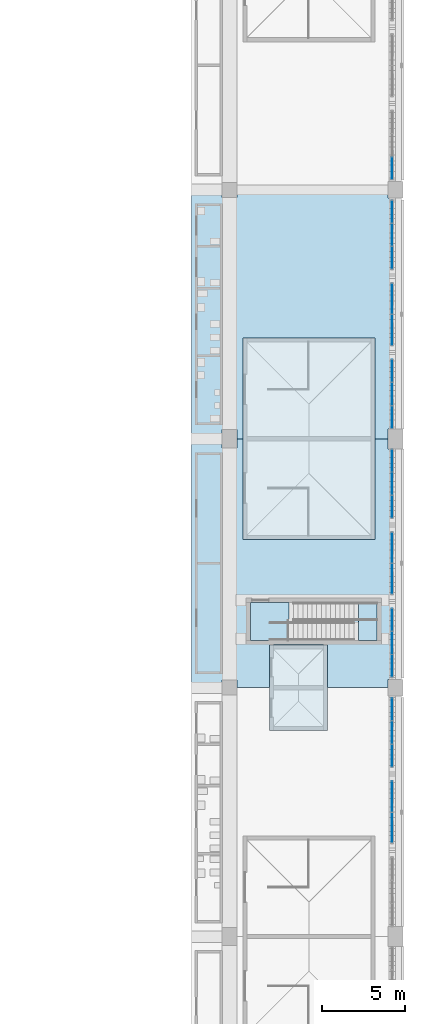
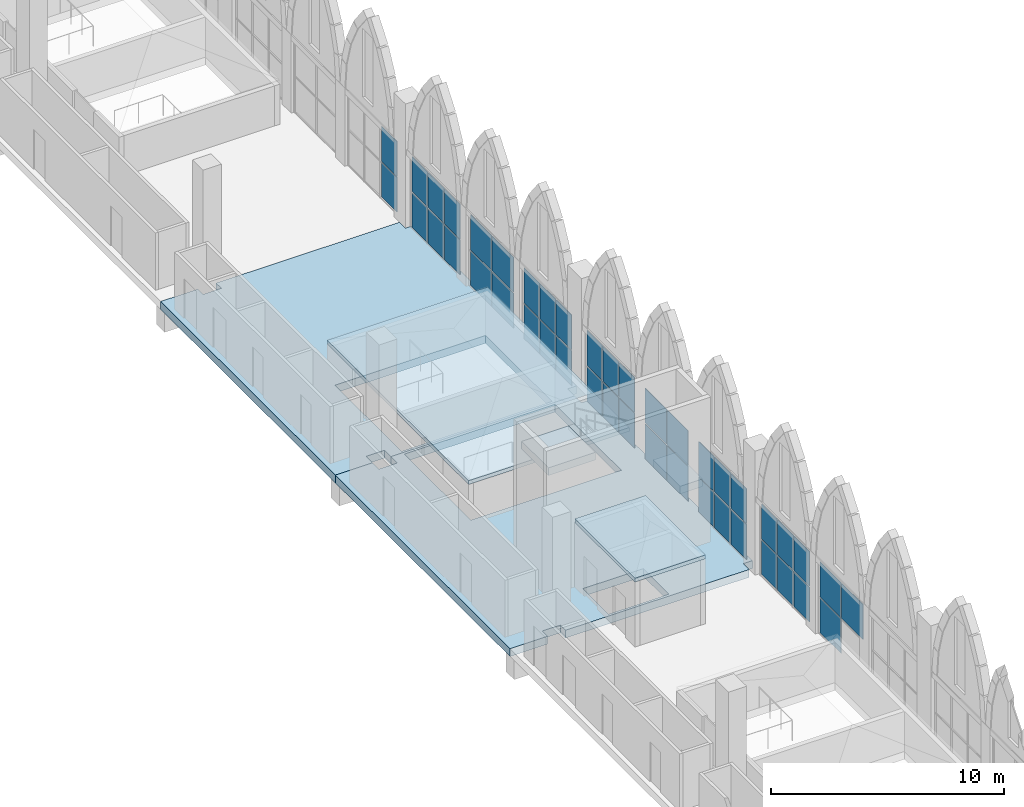
# One storey, part 56 of 130: 43 plates, 6 slabs, 10 elements without a shape of their own.
"""IFC4 building model written with IfcOpenShell, lengths in metres."""

from ifc_helpers import new_model, si_unit, direction, frame, origin, origin_2d, place, context, subcontext, project, spatial, polyline, rectangle, outline, extrude, material, layer, layer_set, type_object, element, aggregate, save


model = new_model("IFC4")

# Units and contexts
model_context = context("Model", 3, precision=1e-05, world=origin(), true_north=direction((0.0, 1.0)))
body_context = subcontext(model_context, "Body", "Model", "MODEL_VIEW")
ifc_project = project(units=[si_unit("LENGTHUNIT", "METRE"), si_unit("AREAUNIT", "SQUARE_METRE"), si_unit("VOLUMEUNIT", "CUBIC_METRE"), si_unit("PLANEANGLEUNIT", "RADIAN"), si_unit("MASSUNIT", "GRAM", prefix="KILO")], contexts=[model_context])

# Site, building, storey
site_placement = place(None, origin())
site = spatial("IfcSite", under=ifc_project, at=site_placement, CompositionType="ELEMENT")
building_placement = place(site_placement, origin())
building = spatial("IfcBuilding", under=site, at=building_placement, Name="Ogive Plaza Stadium", CompositionType="ELEMENT")
storey_placement = place(building_placement, frame((0.0, 0.0, 22.5)))
storey = spatial("IfcBuildingStorey", under=building, at=storey_placement, Name="L05", CompositionType="ELEMENT", Elevation=22.5)

# Slab
ifc_material_1 = material(Name="Concrete C40/50", Category="concrete")
ifc_layer_1 = layer(ifc_material_1, 0.199951171875)
ifc_layer_set_1 = layer_set([ifc_layer_1], Name="Concrete C40/50")
slab_type_1 = type_object("IfcSlabType", Name="Core roof slab", PredefinedType="ROOF", material=ifc_layer_set_1)
slab_1_placement = place(storey_placement, frame((0.0, 0.0, 2.10009765625)))
element("IfcSlab", 1, at=slab_1_placement, inside=storey, type_object=slab_type_1, Name="Stair core R04 roof", PredefinedType="ROOF", context=body_context, shape_type="SweptSolid", body=[
    extrude(outline(polyline([(74.800048828125, 1.425048828125), (82.760009765625, 1.425048828125), (82.760009765625, 13.574951171875), (74.800048828125, 13.574951171875), (74.800048828125, 1.425048828125)])), origin(), (0.0, 0.0, 1.0), 0.199951171875),
])

# Curtain wall, plates
ifc_material_2 = material(Name="Bronze-anodised aluminium with laminated glass", Category="aluminium")
curtain_wall_type = type_object("IfcCurtainWallType", Name="Lancet curtain wall", PredefinedType="NOTDEFINED", material=ifc_material_2)
curtain_wall_1_placement = place(storey_placement, origin())
curtain_wall_1 = element("IfcCurtainWall", 2, at=curtain_wall_1_placement, inside=storey, type_object=curtain_wall_type, Name="CURTAIN WALL B02 L05", PredefinedType="NOTDEFINED")
ifc_material_3 = material(Name="Laminated glass", Category="glass")
ifc_layer_2 = layer(ifc_material_3, 0.028076171875)
ifc_layer_set_2 = layer_set([ifc_layer_2], Name="Laminated glass panel 28")
plate_type = type_object("IfcPlateType", Name="Laminated glass panel 28", PredefinedType="CURTAIN_PANEL", material=ifc_layer_set_2)
plate_1_placement = place(storey_placement, frame((83.800048828125, 23.8125, 0.0498046875), z_axis=(0.0, 0.0, 1.0), x_axis=(0.0, -1.0, 0.0)))
plate_1 = element("IfcPlate", 3, at=plate_1_placement, type_object=plate_type, Name="CW-B02-L05.3 panel 3.1", PredefinedType="CURTAIN_PANEL", context=body_context, shape_type="SweptSolid", body=[
    extrude(rectangle(XDim=1.324951171875, YDim=0.028076171875, at=origin_2d()), origin(), (0.0, 0.0, 1.0), 1.824951171875),
])
plate_2_placement = place(storey_placement, frame((83.800048828125, 23.8125, 1.9248046875), z_axis=(0.0, 0.0, 1.0), x_axis=(0.0, -1.0, 0.0)))
plate_2 = element("IfcPlate", 4, at=plate_2_placement, type_object=plate_type, Name="CW-B02-L05.3 panel 3.2", PredefinedType="CURTAIN_PANEL", context=body_context, shape_type="SweptSolid", body=[
    extrude(rectangle(XDim=1.324951171875, YDim=0.028076171875, at=origin_2d()), origin(), (0.0, 0.0, 1.0), 1.824951171875),
])
aggregate(curtain_wall_1, [plate_1, plate_2])

curtain_wall_2_placement = place(storey_placement, origin())
curtain_wall_2 = element("IfcCurtainWall", 5, at=curtain_wall_2_placement, inside=storey, type_object=curtain_wall_type, Name="CURTAIN WALL B03 L05", PredefinedType="NOTDEFINED")
plate_3_placement = place(storey_placement, frame((83.800048828125, 21.1875, 0.0498046875), z_axis=(0.0, 0.0, 1.0), x_axis=(0.0, -1.0, 0.0)))
plate_3 = element("IfcPlate", 6, at=plate_3_placement, type_object=plate_type, Name="CW-B03-L05.1 panel 1.1", PredefinedType="CURTAIN_PANEL", context=body_context, shape_type="SweptSolid", body=[
    extrude(rectangle(XDim=1.324951171875, YDim=0.028076171875, at=origin_2d()), origin(), (0.0, 0.0, 1.0), 1.824951171875),
])
plate_4_placement = place(storey_placement, frame((83.800048828125, 21.1875, 1.9248046875), z_axis=(0.0, 0.0, 1.0), x_axis=(0.0, -1.0, 0.0)))
plate_4 = element("IfcPlate", 7, at=plate_4_placement, type_object=plate_type, Name="CW-B03-L05.1 panel 1.2", PredefinedType="CURTAIN_PANEL", context=body_context, shape_type="SweptSolid", body=[
    extrude(rectangle(XDim=1.324951171875, YDim=0.028076171875, at=origin_2d()), origin(), (0.0, 0.0, 1.0), 1.824951171875),
])
plate_5_placement = place(storey_placement, frame((83.800048828125, 19.800048828125, 0.0498046875), z_axis=(0.0, 0.0, 1.0), x_axis=(0.0, -1.0, 0.0)))
plate_5 = element("IfcPlate", 8, at=plate_5_placement, type_object=plate_type, Name="CW-B03-L05.1 panel 2.1", PredefinedType="CURTAIN_PANEL", context=body_context, shape_type="SweptSolid", body=[
    extrude(rectangle(XDim=1.35009765625, YDim=0.028076171875, at=origin_2d()), origin(), (0.0, 0.0, 1.0), 1.824951171875),
])
plate_6_placement = place(storey_placement, frame((83.800048828125, 19.800048828125, 1.9248046875), z_axis=(0.0, 0.0, 1.0), x_axis=(0.0, -1.0, 0.0)))
plate_6 = element("IfcPlate", 9, at=plate_6_placement, type_object=plate_type, Name="CW-B03-L05.1 panel 2.2", PredefinedType="CURTAIN_PANEL", context=body_context, shape_type="SweptSolid", body=[
    extrude(rectangle(XDim=1.35009765625, YDim=0.028076171875, at=origin_2d()), origin(), (0.0, 0.0, 1.0), 1.824951171875),
])
plate_7_placement = place(storey_placement, frame((83.800048828125, 18.41259765625, 0.0498046875), z_axis=(0.0, 0.0, 1.0), x_axis=(0.0, -1.0, 0.0)))
plate_7 = element("IfcPlate", 10, at=plate_7_placement, type_object=plate_type, Name="CW-B03-L05.1 panel 3.1", PredefinedType="CURTAIN_PANEL", context=body_context, shape_type="SweptSolid", body=[
    extrude(rectangle(XDim=1.324951171875, YDim=0.028076171875, at=origin_2d()), origin(), (0.0, 0.0, 1.0), 1.824951171875),
])
plate_8_placement = place(storey_placement, frame((83.800048828125, 18.41259765625, 1.9248046875), z_axis=(0.0, 0.0, 1.0), x_axis=(0.0, -1.0, 0.0)))
plate_8 = element("IfcPlate", 11, at=plate_8_placement, type_object=plate_type, Name="CW-B03-L05.1 panel 3.2", PredefinedType="CURTAIN_PANEL", context=body_context, shape_type="SweptSolid", body=[
    extrude(rectangle(XDim=1.324951171875, YDim=0.028076171875, at=origin_2d()), origin(), (0.0, 0.0, 1.0), 1.824951171875),
])
aggregate(curtain_wall_2, [plate_3, plate_4, plate_5, plate_6, plate_7, plate_8])

curtain_wall_3_placement = place(storey_placement, origin())
curtain_wall_3 = element("IfcCurtainWall", 12, at=curtain_wall_3_placement, inside=storey, type_object=curtain_wall_type, Name="CURTAIN WALL B03 L05", PredefinedType="NOTDEFINED")
plate_9_placement = place(storey_placement, frame((83.800048828125, 15.9375, 0.0498046875), z_axis=(0.0, 0.0, 1.0), x_axis=(0.0, -1.0, 0.0)))
plate_9 = element("IfcPlate", 13, at=plate_9_placement, type_object=plate_type, Name="CW-B03-L05.2 panel 1.1", PredefinedType="CURTAIN_PANEL", context=body_context, shape_type="SweptSolid", body=[
    extrude(rectangle(XDim=1.824951171875, YDim=0.028076171875, at=origin_2d()), origin(), (0.0, 0.0, 1.0), 1.824951171875),
])
plate_10_placement = place(storey_placement, frame((83.800048828125, 15.9375, 1.9248046875), z_axis=(0.0, 0.0, 1.0), x_axis=(0.0, -1.0, 0.0)))
plate_10 = element("IfcPlate", 14, at=plate_10_placement, type_object=plate_type, Name="CW-B03-L05.2 panel 1.2", PredefinedType="CURTAIN_PANEL", context=body_context, shape_type="SweptSolid", body=[
    extrude(rectangle(XDim=1.824951171875, YDim=0.028076171875, at=origin_2d()), origin(), (0.0, 0.0, 1.0), 1.824951171875),
])
plate_11_placement = place(storey_placement, frame((83.800048828125, 14.0625, 0.0498046875), z_axis=(0.0, 0.0, 1.0), x_axis=(0.0, -1.0, 0.0)))
plate_11 = element("IfcPlate", 15, at=plate_11_placement, type_object=plate_type, Name="CW-B03-L05.2 panel 2.1", PredefinedType="CURTAIN_PANEL", context=body_context, shape_type="SweptSolid", body=[
    extrude(rectangle(XDim=1.824951171875, YDim=0.028076171875, at=origin_2d()), origin(), (0.0, 0.0, 1.0), 1.824951171875),
])
plate_12_placement = place(storey_placement, frame((83.800048828125, 14.0625, 1.9248046875), z_axis=(0.0, 0.0, 1.0), x_axis=(0.0, -1.0, 0.0)))
plate_12 = element("IfcPlate", 16, at=plate_12_placement, type_object=plate_type, Name="CW-B03-L05.2 panel 2.2", PredefinedType="CURTAIN_PANEL", context=body_context, shape_type="SweptSolid", body=[
    extrude(rectangle(XDim=1.824951171875, YDim=0.028076171875, at=origin_2d()), origin(), (0.0, 0.0, 1.0), 1.824951171875),
])
aggregate(curtain_wall_3, [plate_9, plate_10, plate_11, plate_12])

curtain_wall_4_placement = place(storey_placement, origin())
curtain_wall_4 = element("IfcCurtainWall", 17, at=curtain_wall_4_placement, inside=storey, type_object=curtain_wall_type, Name="CURTAIN WALL B03 L05", PredefinedType="NOTDEFINED")
plate_13_placement = place(storey_placement, frame((83.800048828125, 11.58740234375, 0.0498046875), z_axis=(0.0, 0.0, 1.0), x_axis=(0.0, -1.0, 0.0)))
plate_13 = element("IfcPlate", 18, at=plate_13_placement, type_object=plate_type, Name="CW-B03-L05.3 panel 1.1", PredefinedType="CURTAIN_PANEL", context=body_context, shape_type="SweptSolid", body=[
    extrude(rectangle(XDim=1.324951171875, YDim=0.028076171875, at=origin_2d()), origin(), (0.0, 0.0, 1.0), 1.824951171875),
])
plate_14_placement = place(storey_placement, frame((83.800048828125, 11.58740234375, 1.9248046875), z_axis=(0.0, 0.0, 1.0), x_axis=(0.0, -1.0, 0.0)))
plate_14 = element("IfcPlate", 19, at=plate_14_placement, type_object=plate_type, Name="CW-B03-L05.3 panel 1.2", PredefinedType="CURTAIN_PANEL", context=body_context, shape_type="SweptSolid", body=[
    extrude(rectangle(XDim=1.324951171875, YDim=0.028076171875, at=origin_2d()), origin(), (0.0, 0.0, 1.0), 1.824951171875),
])
plate_15_placement = place(storey_placement, frame((83.800048828125, 10.199951171875, 0.0498046875), z_axis=(0.0, 0.0, 1.0), x_axis=(0.0, -1.0, 0.0)))
plate_15 = element("IfcPlate", 20, at=plate_15_placement, type_object=plate_type, Name="CW-B03-L05.3 panel 2.1", PredefinedType="CURTAIN_PANEL", context=body_context, shape_type="SweptSolid", body=[
    extrude(rectangle(XDim=1.35009765625, YDim=0.028076171875, at=origin_2d()), origin(), (0.0, 0.0, 1.0), 1.824951171875),
])
plate_16_placement = place(storey_placement, frame((83.800048828125, 10.199951171875, 1.9248046875), z_axis=(0.0, 0.0, 1.0), x_axis=(0.0, -1.0, 0.0)))
plate_16 = element("IfcPlate", 21, at=plate_16_placement, type_object=plate_type, Name="CW-B03-L05.3 panel 2.2", PredefinedType="CURTAIN_PANEL", context=body_context, shape_type="SweptSolid", body=[
    extrude(rectangle(XDim=1.35009765625, YDim=0.028076171875, at=origin_2d()), origin(), (0.0, 0.0, 1.0), 1.824951171875),
])
plate_17_placement = place(storey_placement, frame((83.800048828125, 8.8125, 0.0498046875), z_axis=(0.0, 0.0, 1.0), x_axis=(0.0, -1.0, 0.0)))
plate_17 = element("IfcPlate", 22, at=plate_17_placement, type_object=plate_type, Name="CW-B03-L05.3 panel 3.1", PredefinedType="CURTAIN_PANEL", context=body_context, shape_type="SweptSolid", body=[
    extrude(rectangle(XDim=1.324951171875, YDim=0.028076171875, at=origin_2d()), origin(), (0.0, 0.0, 1.0), 1.824951171875),
])
plate_18_placement = place(storey_placement, frame((83.800048828125, 8.8125, 1.9248046875), z_axis=(0.0, 0.0, 1.0), x_axis=(0.0, -1.0, 0.0)))
plate_18 = element("IfcPlate", 23, at=plate_18_placement, type_object=plate_type, Name="CW-B03-L05.3 panel 3.2", PredefinedType="CURTAIN_PANEL", context=body_context, shape_type="SweptSolid", body=[
    extrude(rectangle(XDim=1.324951171875, YDim=0.028076171875, at=origin_2d()), origin(), (0.0, 0.0, 1.0), 1.824951171875),
])
aggregate(curtain_wall_4, [plate_13, plate_14, plate_15, plate_16, plate_17, plate_18])

curtain_wall_5_placement = place(storey_placement, origin())
curtain_wall_5 = element("IfcCurtainWall", 24, at=curtain_wall_5_placement, inside=storey, type_object=curtain_wall_type, Name="CURTAIN WALL B04 L05", PredefinedType="NOTDEFINED")
plate_19_placement = place(storey_placement, frame((83.800048828125, 6.1875, 0.0498046875), z_axis=(0.0, 0.0, 1.0), x_axis=(0.0, -1.0, 0.0)))
plate_19 = element("IfcPlate", 25, at=plate_19_placement, type_object=plate_type, Name="CW-B04-L05.1 panel 1.1", PredefinedType="CURTAIN_PANEL", context=body_context, shape_type="SweptSolid", body=[
    extrude(rectangle(XDim=1.324951171875, YDim=0.028076171875, at=origin_2d()), origin(), (0.0, 0.0, 1.0), 1.824951171875),
])
plate_20_placement = place(storey_placement, frame((83.800048828125, 6.1875, 1.9248046875), z_axis=(0.0, 0.0, 1.0), x_axis=(0.0, -1.0, 0.0)))
plate_20 = element("IfcPlate", 26, at=plate_20_placement, type_object=plate_type, Name="CW-B04-L05.1 panel 1.2", PredefinedType="CURTAIN_PANEL", context=body_context, shape_type="SweptSolid", body=[
    extrude(rectangle(XDim=1.324951171875, YDim=0.028076171875, at=origin_2d()), origin(), (0.0, 0.0, 1.0), 1.824951171875),
])
plate_21_placement = place(storey_placement, frame((83.800048828125, 4.800048828125, 0.0498046875), z_axis=(0.0, 0.0, 1.0), x_axis=(0.0, -1.0, 0.0)))
plate_21 = element("IfcPlate", 27, at=plate_21_placement, type_object=plate_type, Name="CW-B04-L05.1 panel 2.1", PredefinedType="CURTAIN_PANEL", context=body_context, shape_type="SweptSolid", body=[
    extrude(rectangle(XDim=1.35009765625, YDim=0.028076171875, at=origin_2d()), origin(), (0.0, 0.0, 1.0), 1.824951171875),
])
plate_22_placement = place(storey_placement, frame((83.800048828125, 4.800048828125, 1.9248046875), z_axis=(0.0, 0.0, 1.0), x_axis=(0.0, -1.0, 0.0)))
plate_22 = element("IfcPlate", 28, at=plate_22_placement, type_object=plate_type, Name="CW-B04-L05.1 panel 2.2", PredefinedType="CURTAIN_PANEL", context=body_context, shape_type="SweptSolid", body=[
    extrude(rectangle(XDim=1.35009765625, YDim=0.028076171875, at=origin_2d()), origin(), (0.0, 0.0, 1.0), 1.824951171875),
])
plate_23_placement = place(storey_placement, frame((83.800048828125, 3.41259765625, 0.0498046875), z_axis=(0.0, 0.0, 1.0), x_axis=(0.0, -1.0, 0.0)))
plate_23 = element("IfcPlate", 29, at=plate_23_placement, type_object=plate_type, Name="CW-B04-L05.1 panel 3.1", PredefinedType="CURTAIN_PANEL", context=body_context, shape_type="SweptSolid", body=[
    extrude(rectangle(XDim=1.324951171875, YDim=0.028076171875, at=origin_2d()), origin(), (0.0, 0.0, 1.0), 1.824951171875),
])
plate_24_placement = place(storey_placement, frame((83.800048828125, 3.41259765625, 1.9248046875), z_axis=(0.0, 0.0, 1.0), x_axis=(0.0, -1.0, 0.0)))
plate_24 = element("IfcPlate", 30, at=plate_24_placement, type_object=plate_type, Name="CW-B04-L05.1 panel 3.2", PredefinedType="CURTAIN_PANEL", context=body_context, shape_type="SweptSolid", body=[
    extrude(rectangle(XDim=1.324951171875, YDim=0.028076171875, at=origin_2d()), origin(), (0.0, 0.0, 1.0), 1.824951171875),
])
aggregate(curtain_wall_5, [plate_19, plate_20, plate_21, plate_22, plate_23, plate_24])

curtain_wall_6_placement = place(storey_placement, origin())
curtain_wall_6 = element("IfcCurtainWall", 31, at=curtain_wall_6_placement, inside=storey, type_object=curtain_wall_type, Name="CURTAIN WALL B04 L05", PredefinedType="NOTDEFINED")
plate_25_placement = place(storey_placement, frame((83.800048828125, 0.9375, 0.0498046875), z_axis=(0.0, 0.0, 1.0), x_axis=(0.0, -1.0, 0.0)))
plate_25 = element("IfcPlate", 32, at=plate_25_placement, type_object=plate_type, Name="CW-B04-L05.2 panel 1.1", PredefinedType="CURTAIN_PANEL", context=body_context, shape_type="SweptSolid", body=[
    extrude(rectangle(XDim=1.824951171875, YDim=0.028076171875, at=origin_2d()), origin(), (0.0, 0.0, 1.0), 1.824951171875),
])
plate_26_placement = place(storey_placement, frame((83.800048828125, 0.9375, 1.9248046875), z_axis=(0.0, 0.0, 1.0), x_axis=(0.0, -1.0, 0.0)))
plate_26 = element("IfcPlate", 33, at=plate_26_placement, type_object=plate_type, Name="CW-B04-L05.2 panel 1.2", PredefinedType="CURTAIN_PANEL", context=body_context, shape_type="SweptSolid", body=[
    extrude(rectangle(XDim=1.824951171875, YDim=0.028076171875, at=origin_2d()), origin(), (0.0, 0.0, 1.0), 1.824951171875),
])
plate_27_placement = place(storey_placement, frame((83.800048828125, -0.9375, 0.0498046875), z_axis=(0.0, 0.0, 1.0), x_axis=(0.0, -1.0, 0.0)))
plate_27 = element("IfcPlate", 34, at=plate_27_placement, type_object=plate_type, Name="CW-B04-L05.2 panel 2.1", PredefinedType="CURTAIN_PANEL", context=body_context, shape_type="SweptSolid", body=[
    extrude(rectangle(XDim=1.824951171875, YDim=0.028076171875, at=origin_2d()), origin(), (0.0, 0.0, 1.0), 1.824951171875),
])
plate_28_placement = place(storey_placement, frame((83.800048828125, -0.9375, 1.9248046875), z_axis=(0.0, 0.0, 1.0), x_axis=(0.0, -1.0, 0.0)))
plate_28 = element("IfcPlate", 35, at=plate_28_placement, type_object=plate_type, Name="CW-B04-L05.2 panel 2.2", PredefinedType="CURTAIN_PANEL", context=body_context, shape_type="SweptSolid", body=[
    extrude(rectangle(XDim=1.824951171875, YDim=0.028076171875, at=origin_2d()), origin(), (0.0, 0.0, 1.0), 1.824951171875),
])
aggregate(curtain_wall_6, [plate_25, plate_26, plate_27, plate_28])

curtain_wall_7_placement = place(storey_placement, origin())
curtain_wall_7 = element("IfcCurtainWall", 36, at=curtain_wall_7_placement, inside=storey, type_object=curtain_wall_type, Name="CURTAIN WALL B04 L05", PredefinedType="NOTDEFINED")
plate_29_placement = place(storey_placement, frame((83.800048828125, -3.41259765625, 0.0498046875), z_axis=(0.0, 0.0, 1.0), x_axis=(0.0, -1.0, 0.0)))
plate_29 = element("IfcPlate", 37, at=plate_29_placement, type_object=plate_type, Name="CW-B04-L05.3 panel 1.1", PredefinedType="CURTAIN_PANEL", context=body_context, shape_type="SweptSolid", body=[
    extrude(rectangle(XDim=1.324951171875, YDim=0.028076171875, at=origin_2d()), origin(), (0.0, 0.0, 1.0), 1.824951171875),
])
plate_30_placement = place(storey_placement, frame((83.800048828125, -3.41259765625, 1.9248046875), z_axis=(0.0, 0.0, 1.0), x_axis=(0.0, -1.0, 0.0)))
plate_30 = element("IfcPlate", 38, at=plate_30_placement, type_object=plate_type, Name="CW-B04-L05.3 panel 1.2", PredefinedType="CURTAIN_PANEL", context=body_context, shape_type="SweptSolid", body=[
    extrude(rectangle(XDim=1.324951171875, YDim=0.028076171875, at=origin_2d()), origin(), (0.0, 0.0, 1.0), 1.824951171875),
])
plate_31_placement = place(storey_placement, frame((83.800048828125, -4.800048828125, 0.0498046875), z_axis=(0.0, 0.0, 1.0), x_axis=(0.0, -1.0, 0.0)))
plate_31 = element("IfcPlate", 39, at=plate_31_placement, type_object=plate_type, Name="CW-B04-L05.3 panel 2.1", PredefinedType="CURTAIN_PANEL", context=body_context, shape_type="SweptSolid", body=[
    extrude(rectangle(XDim=1.35009765625, YDim=0.028076171875, at=origin_2d()), origin(), (0.0, 0.0, 1.0), 1.824951171875),
])
plate_32_placement = place(storey_placement, frame((83.800048828125, -4.800048828125, 1.9248046875), z_axis=(0.0, 0.0, 1.0), x_axis=(0.0, -1.0, 0.0)))
plate_32 = element("IfcPlate", 40, at=plate_32_placement, type_object=plate_type, Name="CW-B04-L05.3 panel 2.2", PredefinedType="CURTAIN_PANEL", context=body_context, shape_type="SweptSolid", body=[
    extrude(rectangle(XDim=1.35009765625, YDim=0.028076171875, at=origin_2d()), origin(), (0.0, 0.0, 1.0), 1.824951171875),
])
plate_33_placement = place(storey_placement, frame((83.800048828125, -6.1875, 0.0498046875), z_axis=(0.0, 0.0, 1.0), x_axis=(0.0, -1.0, 0.0)))
plate_33 = element("IfcPlate", 41, at=plate_33_placement, type_object=plate_type, Name="CW-B04-L05.3 panel 3.1", PredefinedType="CURTAIN_PANEL", context=body_context, shape_type="SweptSolid", body=[
    extrude(rectangle(XDim=1.324951171875, YDim=0.028076171875, at=origin_2d()), origin(), (0.0, 0.0, 1.0), 1.824951171875),
])
plate_34_placement = place(storey_placement, frame((83.800048828125, -6.1875, 1.9248046875), z_axis=(0.0, 0.0, 1.0), x_axis=(0.0, -1.0, 0.0)))
plate_34 = element("IfcPlate", 42, at=plate_34_placement, type_object=plate_type, Name="CW-B04-L05.3 panel 3.2", PredefinedType="CURTAIN_PANEL", context=body_context, shape_type="SweptSolid", body=[
    extrude(rectangle(XDim=1.324951171875, YDim=0.028076171875, at=origin_2d()), origin(), (0.0, 0.0, 1.0), 1.824951171875),
])
aggregate(curtain_wall_7, [plate_29, plate_30, plate_31, plate_32, plate_33, plate_34])

curtain_wall_8_placement = place(storey_placement, origin())
curtain_wall_8 = element("IfcCurtainWall", 43, at=curtain_wall_8_placement, inside=storey, type_object=curtain_wall_type, Name="CURTAIN WALL B05 L05", PredefinedType="NOTDEFINED")
plate_35_placement = place(storey_placement, frame((83.800048828125, -8.8125, 0.0498046875), z_axis=(0.0, 0.0, 1.0), x_axis=(0.0, -1.0, 0.0)))
plate_35 = element("IfcPlate", 44, at=plate_35_placement, type_object=plate_type, Name="CW-B05-L05.1 panel 1.1", PredefinedType="CURTAIN_PANEL", context=body_context, shape_type="SweptSolid", body=[
    extrude(rectangle(XDim=1.324951171875, YDim=0.028076171875, at=origin_2d()), origin(), (0.0, 0.0, 1.0), 1.824951171875),
])
plate_36_placement = place(storey_placement, frame((83.800048828125, -8.8125, 1.9248046875), z_axis=(0.0, 0.0, 1.0), x_axis=(0.0, -1.0, 0.0)))
plate_36 = element("IfcPlate", 45, at=plate_36_placement, type_object=plate_type, Name="CW-B05-L05.1 panel 1.2", PredefinedType="CURTAIN_PANEL", context=body_context, shape_type="SweptSolid", body=[
    extrude(rectangle(XDim=1.324951171875, YDim=0.028076171875, at=origin_2d()), origin(), (0.0, 0.0, 1.0), 1.824951171875),
])
plate_37_placement = place(storey_placement, frame((83.800048828125, -10.199951171875, 0.0498046875), z_axis=(0.0, 0.0, 1.0), x_axis=(0.0, -1.0, 0.0)))
plate_37 = element("IfcPlate", 46, at=plate_37_placement, type_object=plate_type, Name="CW-B05-L05.1 panel 2.1", PredefinedType="CURTAIN_PANEL", context=body_context, shape_type="SweptSolid", body=[
    extrude(rectangle(XDim=1.35009765625, YDim=0.028076171875, at=origin_2d()), origin(), (0.0, 0.0, 1.0), 1.824951171875),
])
plate_38_placement = place(storey_placement, frame((83.800048828125, -10.199951171875, 1.9248046875), z_axis=(0.0, 0.0, 1.0), x_axis=(0.0, -1.0, 0.0)))
plate_38 = element("IfcPlate", 47, at=plate_38_placement, type_object=plate_type, Name="CW-B05-L05.1 panel 2.2", PredefinedType="CURTAIN_PANEL", context=body_context, shape_type="SweptSolid", body=[
    extrude(rectangle(XDim=1.35009765625, YDim=0.028076171875, at=origin_2d()), origin(), (0.0, 0.0, 1.0), 1.824951171875),
])
plate_39_placement = place(storey_placement, frame((83.800048828125, -11.58740234375, 0.0498046875), z_axis=(0.0, 0.0, 1.0), x_axis=(0.0, -1.0, 0.0)))
plate_39 = element("IfcPlate", 48, at=plate_39_placement, type_object=plate_type, Name="CW-B05-L05.1 panel 3.1", PredefinedType="CURTAIN_PANEL", context=body_context, shape_type="SweptSolid", body=[
    extrude(rectangle(XDim=1.324951171875, YDim=0.028076171875, at=origin_2d()), origin(), (0.0, 0.0, 1.0), 1.824951171875),
])
plate_40_placement = place(storey_placement, frame((83.800048828125, -11.58740234375, 1.9248046875), z_axis=(0.0, 0.0, 1.0), x_axis=(0.0, -1.0, 0.0)))
plate_40 = element("IfcPlate", 49, at=plate_40_placement, type_object=plate_type, Name="CW-B05-L05.1 panel 3.2", PredefinedType="CURTAIN_PANEL", context=body_context, shape_type="SweptSolid", body=[
    extrude(rectangle(XDim=1.324951171875, YDim=0.028076171875, at=origin_2d()), origin(), (0.0, 0.0, 1.0), 1.824951171875),
])
aggregate(curtain_wall_8, [plate_35, plate_36, plate_37, plate_38, plate_39, plate_40])

curtain_wall_9_placement = place(storey_placement, origin())
curtain_wall_9 = element("IfcCurtainWall", 50, at=curtain_wall_9_placement, inside=storey, type_object=curtain_wall_type, Name="CURTAIN WALL B05 L05", PredefinedType="NOTDEFINED")
plate_41_placement = place(storey_placement, frame((83.800048828125, -14.0625, 0.0498046875), z_axis=(0.0, 0.0, 1.0), x_axis=(0.0, -1.0, 0.0)))
plate_41 = element("IfcPlate", 51, at=plate_41_placement, type_object=plate_type, Name="CW-B05-L05.2 panel 1.1", PredefinedType="CURTAIN_PANEL", context=body_context, shape_type="SweptSolid", body=[
    extrude(rectangle(XDim=1.824951171875, YDim=0.028076171875, at=origin_2d()), origin(), (0.0, 0.0, 1.0), 1.824951171875),
])
plate_42_placement = place(storey_placement, frame((83.800048828125, -14.0625, 1.9248046875), z_axis=(0.0, 0.0, 1.0), x_axis=(0.0, -1.0, 0.0)))
plate_42 = element("IfcPlate", 52, at=plate_42_placement, type_object=plate_type, Name="CW-B05-L05.2 panel 1.2", PredefinedType="CURTAIN_PANEL", context=body_context, shape_type="SweptSolid", body=[
    extrude(rectangle(XDim=1.824951171875, YDim=0.028076171875, at=origin_2d()), origin(), (0.0, 0.0, 1.0), 1.824951171875),
])
plate_43_placement = place(storey_placement, frame((83.800048828125, -15.9375, 1.9248046875), z_axis=(0.0, 0.0, 1.0), x_axis=(0.0, -1.0, 0.0)))
plate_43 = element("IfcPlate", 53, at=plate_43_placement, type_object=plate_type, Name="CW-B05-L05.2 panel 2.2", PredefinedType="CURTAIN_PANEL", context=body_context, shape_type="SweptSolid", body=[
    extrude(rectangle(XDim=1.824951171875, YDim=0.028076171875, at=origin_2d()), origin(), (0.0, 0.0, 1.0), 1.824951171875),
])
aggregate(curtain_wall_9, [plate_41, plate_42, plate_43])

# Slabs
ifc_material_4 = material(Name="Concrete C40/50", Category="concrete")
ifc_layer_3 = layer(ifc_material_4, 0.199951171875)
ifc_layer_set_3 = layer_set([ifc_layer_3], Name="Concrete C40/50")
slab_type_2 = type_object("IfcSlabType", Name="Lift overrun roof slab", PredefinedType="ROOF", material=ifc_layer_set_3)
slab_2_placement = place(storey_placement, frame((0.0, 0.0, 3.39990234375)))
element("IfcSlab", 54, at=slab_2_placement, inside=storey, type_object=slab_type_2, Name="Lift core LP05 roof", PredefinedType="ROOF", context=body_context, shape_type="SweptSolid", body=[
    extrude(outline(polyline([(76.39990234375, -10.074951171875), (79.89990234375, -10.074951171875), (79.89990234375, -4.925048828125), (76.39990234375, -4.925048828125), (76.39990234375, -10.074951171875)])), origin(), (0.0, 0.0, 1.0), 0.2001953125),
])
ifc_material_5 = material(Name="Concrete C40/50", Category="concrete")
ifc_layer_4 = layer(ifc_material_5, 0.409912109375)
ifc_layer_set_4 = layer_set([ifc_layer_4], Name="Concrete C40/50")
slab_type_3 = type_object("IfcSlabType", Name="RC floor slab 410", PredefinedType="FLOOR", material=ifc_layer_set_4)
slab_3_placement = place(storey_placement, frame((0.0, 0.0, -0.409912109375)))
element("IfcSlab", 55, at=slab_3_placement, inside=storey, type_object=slab_type_3, Name="Floor slab L05 B03", PredefinedType="FLOOR", context=body_context, shape_type="SweptSolid", body=[
    extrude(outline(polyline([(73.550048828125, 7.5), (73.550048828125, 8.050048828125), (74.449951171875, 8.050048828125), (74.449951171875, 7.5), (83.550048828125, 7.5), (83.550048828125, 8.10009765625), (84.0, 8.10009765625), (84.0, 22.0), (83.550048828125, 22.0), (83.550048828125, 22.5), (74.449951171875, 22.5), (74.449951171875, 22.050048828125), (73.550048828125, 22.050048828125), (73.550048828125, 22.5), (71.699951171875, 22.5), (71.699951171875, 7.5), (73.550048828125, 7.5)]), holes=[polyline([(75.050048828125, 13.324951171875), (75.050048828125, 7.625), (82.510009765625, 7.625), (82.510009765625, 13.324951171875), (75.050048828125, 13.324951171875)])]), origin(), (0.0, 0.0, 1.0), 0.409912109375),
])
slab_4_placement = place(storey_placement, frame((0.0, 0.0, -0.409912109375)))
element("IfcSlab", 56, at=slab_4_placement, inside=storey, type_object=slab_type_3, Name="Floor slab L05 B04", PredefinedType="FLOOR", context=body_context, shape_type="SweptSolid", body=[
    extrude(outline(polyline([(73.550048828125, -7.5), (73.550048828125, -7.050048828125), (74.449951171875, -7.050048828125), (74.449951171875, -7.5), (83.550048828125, -7.5), (83.550048828125, -7.0), (84.0, -7.0), (84.0, 6.89990234375), (83.550048828125, 6.89990234375), (83.550048828125, 7.5), (74.449951171875, 7.5), (74.449951171875, 6.949951171875), (73.550048828125, 6.949951171875), (73.550048828125, 7.5), (71.699951171875, 7.5), (71.699951171875, -7.5), (73.550048828125, -7.5)]), holes=[polyline([(76.64990234375, -5.175048828125), (76.64990234375, -7.375), (79.64990234375, -7.375), (79.64990234375, -5.175048828125), (76.64990234375, -5.175048828125)]), polyline([(75.050048828125, 7.375), (75.050048828125, 1.675048828125), (82.510009765625, 1.675048828125), (82.510009765625, 7.375), (75.050048828125, 7.375)])]), origin(), (0.0, 0.0, 1.0), 0.409912109375),
])

# Stair, slabs
ifc_material_6 = material(Name="Concrete C40/50", Category="concrete")
stair_type = type_object("IfcStairType", Name="Roof access stair", PredefinedType="STRAIGHT_RUN_STAIR", material=ifc_material_6)
stair_placement = place(storey_placement, origin())
stair = element("IfcStair", 57, at=stair_placement, inside=storey, type_object=stair_type, Name="Roof access stair RA1 L05 to Roof", PredefinedType="STRAIGHT_RUN_STAIR")
ifc_material_7 = material(Name="Concrete C40/50", Category="concrete")
ifc_layer_5 = layer(ifc_material_7, 0.39990234375)
ifc_layer_set_5 = layer_set([ifc_layer_5], Name="Concrete C40/50")
slab_type_4 = type_object("IfcSlabType", Name="Stair landing", PredefinedType="LANDING", material=ifc_layer_set_5)
slab_5_placement = place(storey_placement, frame((0.0, 0.0, 2.85009765625)))
slab_5 = element("IfcSlab", 58, at=slab_5_placement, type_object=slab_type_4, Name="RA1 landing 1", PredefinedType="LANDING", context=body_context, shape_type="SweptSolid", body=[
    extrude(outline(polyline([(81.76611328125, -4.64990234375), (82.889892578125, -4.64990234375), (82.889892578125, -2.35009765625), (81.76611328125, -2.35009765625), (81.76611328125, -4.64990234375)])), origin(), (0.0, 0.0, 1.0), 0.39990234375),
])
slab_6_placement = place(storey_placement, frame((0.0, 0.0, 6.10009765625)))
slab_6 = element("IfcSlab", 59, at=slab_6_placement, type_object=slab_type_4, Name="RA1 landing 2", PredefinedType="LANDING", context=body_context, shape_type="SweptSolid", body=[
    extrude(outline(polyline([(75.25, -4.64990234375), (77.570068359375, -4.64990234375), (77.570068359375, -2.35009765625), (75.25, -2.35009765625), (75.25, -4.64990234375)])), origin(), (0.0, 0.0, 1.0), 0.39990234375),
])
aggregate(stair, [slab_5, slab_6])

save(model, "model.ifc")
